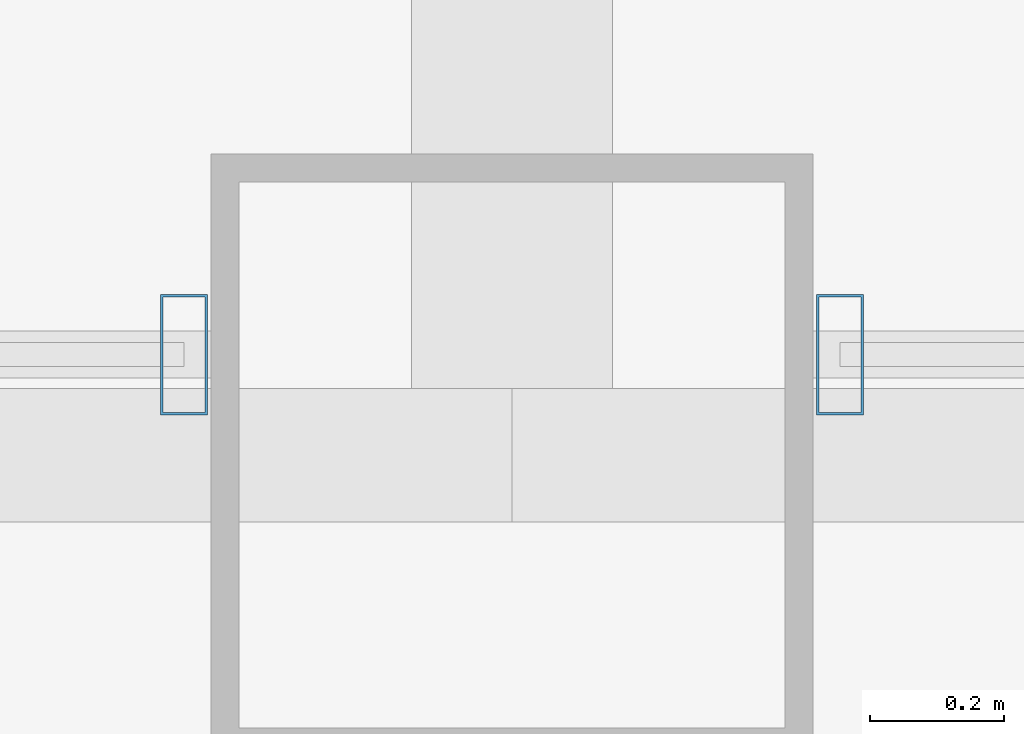
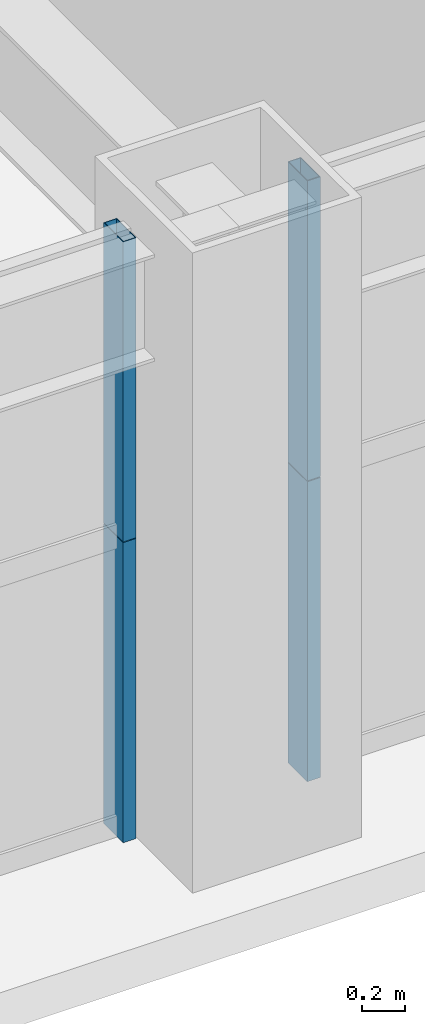
# One storey, part 9 of 38: 4 members, 2 elements without a shape of their own.
"""IFC4 building model written with IfcOpenShell, lengths in metres."""

from ifc_helpers import new_model, si_unit, direction, frame, origin, origin_2d, place, context, subcontext, project, spatial, hollow_rectangle, extrude, source, transform, mapped, material, layer, layer_set, material_profile, profile_set, type_object, element, aggregate, save


model = new_model("IFC4")

# Units and contexts
model_context = context("Model", 3, precision=1e-05, world=origin(), true_north=direction((0.0, 1.0)))
body_context = subcontext(model_context, "Body", "Model", "MODEL_VIEW")
ifc_project = project(units=[si_unit("LENGTHUNIT", "METRE"), si_unit("AREAUNIT", "SQUARE_METRE"), si_unit("VOLUMEUNIT", "CUBIC_METRE"), si_unit("PLANEANGLEUNIT", "RADIAN"), si_unit("MASSUNIT", "GRAM", prefix="KILO"), si_unit("THERMODYNAMICTEMPERATUREUNIT", "KELVIN"), si_unit("POWERUNIT", "WATT")], contexts=[model_context])

# Site, building, storey
site_placement = place(None, origin())
site = spatial("IfcSite", under=ifc_project, at=site_placement, CompositionType="ELEMENT")
building_placement = place(site_placement, origin())
building = spatial("IfcBuilding", under=site, at=building_placement, Name="Yuzanri Waterfront Tower", CompositionType="ELEMENT")
storey_placement = place(building_placement, frame((0.0, 0.0, 97.39990234375)))
storey = spatial("IfcBuildingStorey", under=building, at=storey_placement, Name="L25", CompositionType="ELEMENT", Elevation=97.39990234375)

# Curtain wall, members
ifc_material_1 = material(Name="Anodized Architectural Bronze", Category="metal")
ifc_layer = layer(ifc_material_1, 0.159912109375)
ifc_layer_set = layer_set([ifc_layer], Name="Anodized Architectural Bronze")
curtain_wall_type = type_object("IfcCurtainWallType", Name="Anodized Bronze Hotel Upper-Tier Solar-Control Unitized Curtain Wall 7800", PredefinedType="NOTDEFINED", material=ifc_layer_set)
curtain_wall_1_placement = place(storey_placement, origin())
curtain_wall_1 = element("IfcCurtainWall", 1, at=curtain_wall_1_placement, inside=storey, type_object=curtain_wall_type, Name="L25 Curtain Wall CW-L25-SL", PredefinedType="NOTDEFINED")
ifc_material_2 = material(Name="Anodized Architectural Bronze", Category="metal")
ifc_material_profile = material_profile(ifc_material_2, hollow_rectangle(XDim=0.070068359375, YDim=0.179931640625, WallThickness=0.00390625, at=origin_2d()), Name="CWM 70x180")
ifc_profile_set = profile_set([ifc_material_profile], Name="Anodized Architectural Bronze")
member_type = type_object("IfcMemberType", Name="Anodized Bronze Standard Curtain-Wall Mullion 70x180", PredefinedType="MULLION", material=ifc_profile_set)
shared_shape = source(origin(), body_context, "Body", "SweptSolid", [
    extrude(hollow_rectangle(XDim=0.070068359375, YDim=0.179931640625, WallThickness=0.00390625, at=origin_2d()), origin(), (0.0, 0.0, 1.0), 1.68798828125),
])
member_1_placement = place(storey_placement, frame((36.510009765625, 2.35009765625, 0.0), z_axis=(0.0, 0.0, 1.0), x_axis=(1.0, 0.0, 0.0)))
member_1 = element("IfcMember", 2, at=member_1_placement, type_object=member_type, Name="CW-L25-SL Lower Mullion 02", PredefinedType="MULLION", context=body_context, shape_type="MappedRepresentation", body=[
    mapped(shared_shape, transform((0.0, 0.0, 0.0), scale=1.0)),
])
member_2_placement = place(storey_placement, frame((36.510009765625, 2.35009765625, 1.692138671875), z_axis=(0.0, 0.0, 1.0), x_axis=(1.0, 0.0, 0.0)))
member_2 = element("IfcMember", 3, at=member_2_placement, type_object=member_type, Name="CW-L25-SL Upper Mullion 02", PredefinedType="MULLION", context=body_context, shape_type="MappedRepresentation", body=[
    mapped(shared_shape, transform((0.0, 0.0, 0.0), scale=1.0)),
])
aggregate(curtain_wall_1, [member_1, member_2])

curtain_wall_2_placement = place(storey_placement, origin())
curtain_wall_2 = element("IfcCurtainWall", 4, at=curtain_wall_2_placement, inside=storey, type_object=curtain_wall_type, Name="L25 Curtain Wall CW-L25-SR", PredefinedType="NOTDEFINED")
member_3_placement = place(storey_placement, frame((37.489990234375, 2.35009765625, 0.0), z_axis=(0.0, 0.0, 1.0), x_axis=(1.0, 0.0, 0.0)))
member_3 = element("IfcMember", 5, at=member_3_placement, type_object=member_type, Name="CW-L25-SR Lower Mullion 00", PredefinedType="MULLION", context=body_context, shape_type="MappedRepresentation", body=[
    mapped(shared_shape, transform((0.0, 0.0, 0.0), scale=1.0)),
])
member_4_placement = place(storey_placement, frame((37.489990234375, 2.35009765625, 1.692138671875), z_axis=(0.0, 0.0, 1.0), x_axis=(1.0, 0.0, 0.0)))
member_4 = element("IfcMember", 6, at=member_4_placement, type_object=member_type, Name="CW-L25-SR Upper Mullion 00", PredefinedType="MULLION", context=body_context, shape_type="MappedRepresentation", body=[
    mapped(shared_shape, transform((0.0, 0.0, 0.0), scale=1.0)),
])
aggregate(curtain_wall_2, [member_3, member_4])

save(model, "model.ifc")
